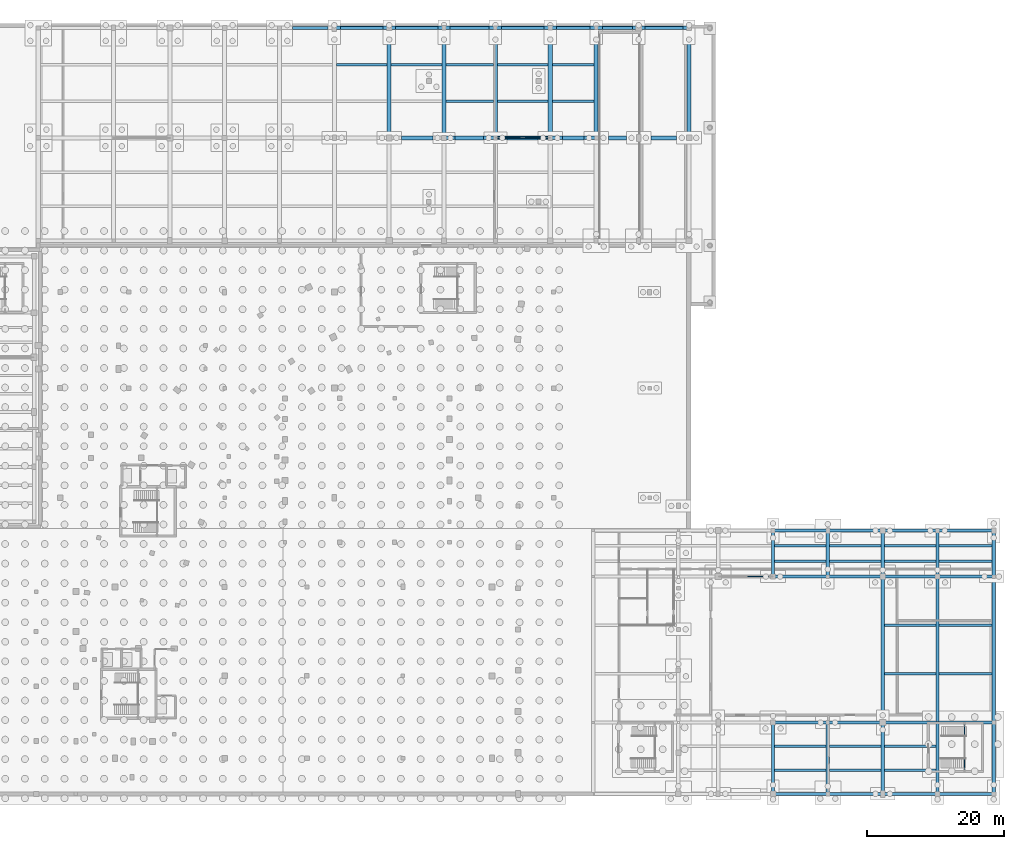
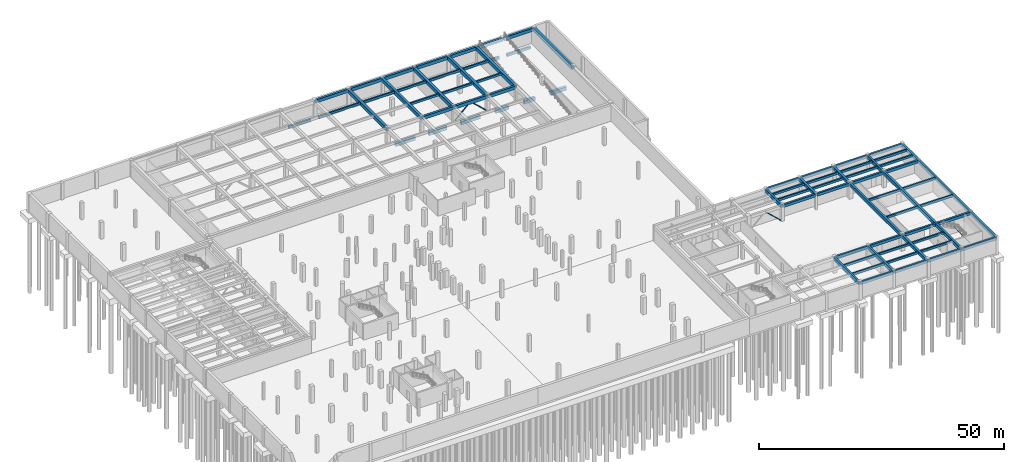
# One storey, part 12 of 36: 85 beams, 4 members.
"""IFC4 building model written with IfcOpenShell, lengths in metres."""

from ifc_helpers import new_model, si_unit, direction, frame, origin, origin_2d, place, context, subcontext, project, spatial, rectangle, hollow_rectangle, hollow_circle, extrude, material, material_profile, profile_set, type_object, element, save


model = new_model("IFC4")

# Units and contexts
model_context = context("Model", 3, precision=1e-05, world=origin(), true_north=direction((0.0, 1.0)))
body_context = subcontext(model_context, "Body", "Model", "MODEL_VIEW")
ifc_project = project(units=[si_unit("LENGTHUNIT", "METRE"), si_unit("AREAUNIT", "SQUARE_METRE"), si_unit("VOLUMEUNIT", "CUBIC_METRE"), si_unit("PLANEANGLEUNIT", "RADIAN"), si_unit("MASSUNIT", "GRAM", prefix="KILO"), si_unit("THERMODYNAMICTEMPERATUREUNIT", "KELVIN"), si_unit("POWERUNIT", "WATT")], contexts=[model_context])

# Site, building, storey
site_placement = place(None, origin())
site = spatial("IfcSite", under=ifc_project, at=site_placement, CompositionType="ELEMENT")
building_placement = place(site_placement, origin())
building = spatial("IfcBuilding", under=site, at=building_placement, Name="Solvatero Civic Police Headquarters", CompositionType="ELEMENT")
storey_placement = place(building_placement, frame((0.0, 0.0, -8.39990234375)))
storey = spatial("IfcBuildingStorey", under=building, at=storey_placement, Name="B02", CompositionType="ELEMENT", Elevation=-8.39990234375)

# Beams
ifc_material_1 = material(Name="Concrete C35/45", Category="concrete")
ifc_material_profile_1 = material_profile(ifc_material_1, rectangle(XDim=0.449951171875, YDim=0.64990234375, at=origin_2d()), Name="GB 450x650")
ifc_profile_set_1 = profile_set([ifc_material_profile_1], Name="Concrete C35/45")
beam_type_1 = type_object("IfcBeamType", Name="BM-GB-450x650", PredefinedType="BEAM", material=ifc_profile_set_1)
beam_1_placement = place(storey_placement, frame((65.906005859375, 116.550048828125, -0.78515625), z_axis=(1.0, 0.0, 0.0), x_axis=(0.0, 1.0, 0.0)))
element("IfcBeam", 1, at=beam_1_placement, inside=storey, type_object=beam_type_1, Name="Foundation ground beam BM-R2-B02-GB-N-5-3", PredefinedType="BEAM", context=body_context, shape_type="SweptSolid", body=[
    extrude(rectangle(XDim=0.449951171875, YDim=0.64990234375, at=origin_2d()), origin(), (0.0, 0.0, 1.0), 5.18798828125),
])
for number, where, z_axis, x_axis, name in (
    (2, (72.906005859375, 116.550048828125, -0.78515625), (1.0, 0.0, 0.0), (0.0, 1.0, 0.0), "Foundation ground beam BM-R2-B02-GB-N-6-3"),
    (3, (80.906005859375, 116.550048828125, -0.78515625), (1.0, 0.0, 0.0), (0.0, 1.0, 0.0), "Foundation ground beam BM-R2-B02-GB-N-7-3"),
):
    element("IfcBeam", number, at=place(storey_placement, frame(where, z_axis=z_axis, x_axis=x_axis)), inside=storey, type_object=beam_type_1, Name=name, PredefinedType="BEAM", context=body_context, shape_type="SweptSolid", body=[
        extrude(rectangle(XDim=0.449951171875, YDim=0.64990234375, at=origin_2d()), origin(), (0.0, 0.0, 1.0), 6.18798828125),
    ])
beam_2_placement = place(storey_placement, frame((88.906005859375, 116.550048828125, -0.78515625), z_axis=(1.0, 0.0, 0.0), x_axis=(0.0, 1.0, 0.0)))
element("IfcBeam", 4, at=beam_2_placement, inside=storey, type_object=beam_type_1, Name="Foundation ground beam BM-R2-B02-GB-N-8-3", PredefinedType="BEAM", context=body_context, shape_type="SweptSolid", body=[
    extrude(rectangle(XDim=0.449951171875, YDim=0.64990234375, at=origin_2d()), origin(), (0.0, 0.0, 1.0), 5.68798828125),
])
beam_3_placement = place(storey_placement, frame((96.406005859375, 116.550048828125, -0.78515625), z_axis=(1.0, 0.0, 0.0), x_axis=(0.0, 1.0, 0.0)))
element("IfcBeam", 5, at=beam_3_placement, inside=storey, type_object=beam_type_1, Name="Foundation ground beam BM-R2-B02-GB-N-9-3", PredefinedType="BEAM", context=body_context, shape_type="SweptSolid", body=[
    extrude(rectangle(XDim=0.449951171875, YDim=0.64990234375, at=origin_2d()), origin(), (0.0, 0.0, 1.0), 6.18798828125),
])
beam_4_placement = place(storey_placement, frame((104.406005859375, 116.550048828125, -0.78515625), z_axis=(1.0, 0.0, 0.0), x_axis=(0.0, 1.0, 0.0)))
element("IfcBeam", 6, at=beam_4_placement, inside=storey, type_object=beam_type_1, Name="Foundation ground beam BM-R2-B02-GB-N-10-3", PredefinedType="BEAM", context=body_context, shape_type="SweptSolid", body=[
    extrude(rectangle(XDim=0.449951171875, YDim=0.64990234375, at=origin_2d()), origin(), (0.0, 0.0, 1.0), 4.887939453125),
])
beam_5_placement = place(storey_placement, frame((111.10595703125, 116.550048828125, -0.78515625), z_axis=(1.0, 0.0, 0.0), x_axis=(0.0, 1.0, 0.0)))
element("IfcBeam", 7, at=beam_5_placement, inside=storey, type_object=beam_type_1, Name="Foundation ground beam BM-R2-B02-GB-N-11-3", PredefinedType="BEAM", context=body_context, shape_type="SweptSolid", body=[
    extrude(rectangle(XDim=0.449951171875, YDim=0.64990234375, at=origin_2d()), origin(), (0.0, 0.0, 1.0), 4.387939453125),
])
beam_6_placement = place(storey_placement, frame((117.305908203125, 116.550048828125, -0.78515625), z_axis=(1.0, 0.0, 0.0), x_axis=(0.0, 1.0, 0.0)))
element("IfcBeam", 8, at=beam_6_placement, inside=storey, type_object=beam_type_1, Name="Foundation ground beam BM-R2-B02-GB-N-12-3", PredefinedType="BEAM", context=body_context, shape_type="SweptSolid", body=[
    extrude(rectangle(XDim=0.449951171875, YDim=0.64990234375, at=origin_2d()), origin(), (0.0, 0.0, 1.0), 5.5380859375),
])
ifc_material_profile_2 = material_profile(ifc_material_1, rectangle(XDim=0.60009765625, YDim=0.85009765625, at=origin_2d()), Name="GB 600x850")
ifc_profile_set_2 = profile_set([ifc_material_profile_2], Name="Concrete C35/45")
beam_type_2 = type_object("IfcBeamType", Name="BM-GB-600x850", PredefinedType="BEAM", material=ifc_profile_set_2)
beam_7_placement = place(storey_placement, frame((81.805908203125, 100.5, -0.885009765625), z_axis=(1.0, 0.0, 0.0), x_axis=(0.0, 1.0, 0.0)))
element("IfcBeam", 9, at=beam_7_placement, inside=storey, type_object=beam_type_2, Name="Foundation ground beam BM-R2-B02-GB-N-7-1", PredefinedType="BEAM", context=body_context, shape_type="SweptSolid", body=[
    extrude(rectangle(XDim=0.60009765625, YDim=0.85009765625, at=origin_2d()), origin(), (0.0, 0.0, 1.0), 4.588134765625),
])
beam_8_placement = place(storey_placement, frame((89.60595703125, 100.5, -0.885009765625), z_axis=(1.0, 0.0, 0.0), x_axis=(0.0, 1.0, 0.0)))
element("IfcBeam", 10, at=beam_8_placement, inside=storey, type_object=beam_type_2, Name="Foundation ground beam BM-R2-B02-GB-N-8-1", PredefinedType="BEAM", context=body_context, shape_type="SweptSolid", body=[
    extrude(rectangle(XDim=0.60009765625, YDim=0.85009765625, at=origin_2d()), origin(), (0.0, 0.0, 1.0), 4.18798828125),
])
beam_9_placement = place(storey_placement, frame((97.2060546875, 100.5, -0.885009765625), z_axis=(1.0, 0.0, 0.0), x_axis=(0.0, 1.0, 0.0)))
element("IfcBeam", 11, at=beam_9_placement, inside=storey, type_object=beam_type_2, Name="Foundation ground beam BM-R2-B02-GB-N-9-1", PredefinedType="BEAM", context=body_context, shape_type="SweptSolid", body=[
    extrude(rectangle(XDim=0.60009765625, YDim=0.85009765625, at=origin_2d()), origin(), (0.0, 0.0, 1.0), 4.488037109375),
])
beam_10_placement = place(storey_placement, frame((105.305908203125, 100.5, -0.885009765625), z_axis=(1.0, 0.0, 0.0), x_axis=(0.0, 1.0, 0.0)))
element("IfcBeam", 12, at=beam_10_placement, inside=storey, type_object=beam_type_2, Name="Foundation ground beam BM-R2-B02-GB-N-10-1", PredefinedType="BEAM", context=body_context, shape_type="SweptSolid", body=[
    extrude(rectangle(XDim=0.60009765625, YDim=0.85009765625, at=origin_2d()), origin(), (0.0, 0.0, 1.0), 3.088134765625),
])
beam_11_placement = place(storey_placement, frame((112.006103515625, 100.5, -0.885009765625), z_axis=(1.0, 0.0, 0.0), x_axis=(0.0, 1.0, 0.0)))
element("IfcBeam", 13, at=beam_11_placement, inside=storey, type_object=beam_type_2, Name="Foundation ground beam BM-R2-B02-GB-N-11-1", PredefinedType="BEAM", context=body_context, shape_type="SweptSolid", body=[
    extrude(rectangle(XDim=0.60009765625, YDim=0.85009765625, at=origin_2d()), origin(), (0.0, 0.0, 1.0), 2.587890625),
])
beam_12_placement = place(storey_placement, frame((118.2060546875, 100.5, -0.885009765625), z_axis=(1.0, 0.0, 0.0), x_axis=(0.0, 1.0, 0.0)))
element("IfcBeam", 14, at=beam_12_placement, inside=storey, type_object=beam_type_2, Name="Foundation ground beam BM-R2-B02-GB-N-12-1", PredefinedType="BEAM", context=body_context, shape_type="SweptSolid", body=[
    extrude(rectangle(XDim=0.60009765625, YDim=0.85009765625, at=origin_2d()), origin(), (0.0, 0.0, 1.0), 3.738037109375),
])
ifc_material_2 = material(Name="Concrete C40/50", Category="concrete")
ifc_material_profile_3 = material_profile(ifc_material_2, rectangle(XDim=0.35009765625, YDim=0.550048828125, at=origin_2d()), Name="RC 350x550")
ifc_profile_set_3 = profile_set([ifc_material_profile_3], Name="Concrete C40/50")
beam_type_3 = type_object("IfcBeamType", Name="BM-RC-350x550", PredefinedType="BEAM", material=ifc_profile_set_3)
for number, where, z_axis, x_axis, name in (
    (15, (72.300048828125, 111.199951171875, 3.64501953125), (1.0, 0.0, 0.0), (0.0, 1.0, 0.0), "Primary girder BM-R2-B02-V7B-SEC-6-2-S2"),
    (16, (80.300048828125, 111.199951171875, 3.64501953125), (1.0, 0.0, 0.0), (0.0, 1.0, 0.0), "Primary girder BM-R2-B02-V7B-SEC-7-2-S2"),
):
    element("IfcBeam", number, at=place(storey_placement, frame(where, z_axis=z_axis, x_axis=x_axis)), inside=storey, type_object=beam_type_3, Name=name, PredefinedType="BEAM", context=body_context, shape_type="SweptSolid", body=[
        extrude(rectangle(XDim=0.35009765625, YDim=0.550048828125, at=origin_2d()), origin(), (0.0, 0.0, 1.0), 7.39990234375),
    ])
for number, where, z_axis, x_axis, name in (
    (17, (88.300048828125, 105.85009765625, 3.64501953125), (1.0, 0.0, 0.0), (0.0, 1.0, 0.0), "Primary girder BM-R2-B02-V7B-SEC-8-2-S1"),
    (18, (88.300048828125, 111.199951171875, 3.64501953125), (1.0, 0.0, 0.0), (0.0, 1.0, 0.0), "Primary girder BM-R2-B02-V7B-SEC-8-2-S2"),
):
    element("IfcBeam", number, at=place(storey_placement, frame(where, z_axis=z_axis, x_axis=x_axis)), inside=storey, type_object=beam_type_3, Name=name, PredefinedType="BEAM", context=body_context, shape_type="SweptSolid", body=[
        extrude(rectangle(XDim=0.35009765625, YDim=0.550048828125, at=origin_2d()), origin(), (0.0, 0.0, 1.0), 6.89990234375),
    ])
for number, where, z_axis, x_axis, name in (
    (19, (95.800048828125, 105.85009765625, 3.64501953125), (1.0, 0.0, 0.0), (0.0, 1.0, 0.0), "Primary girder BM-R2-B02-V7B-SEC-9-2-S1"),
    (20, (95.800048828125, 111.199951171875, 3.64501953125), (1.0, 0.0, 0.0), (0.0, 1.0, 0.0), "Primary girder BM-R2-B02-V7B-SEC-9-2-S2"),
):
    element("IfcBeam", number, at=place(storey_placement, frame(where, z_axis=z_axis, x_axis=x_axis)), inside=storey, type_object=beam_type_3, Name=name, PredefinedType="BEAM", context=body_context, shape_type="SweptSolid", body=[
        extrude(rectangle(XDim=0.35009765625, YDim=0.550048828125, at=origin_2d()), origin(), (0.0, 0.0, 1.0), 7.39990234375),
    ])
for number, where, z_axis, x_axis, name in (
    (21, (103.800048828125, 105.85009765625, 3.64501953125), (1.0, 0.0, 0.0), (0.0, 1.0, 0.0), "Primary girder BM-R2-B02-V7B-SEC-10-2-S1"),
    (22, (103.800048828125, 111.199951171875, 3.64501953125), (1.0, 0.0, 0.0), (0.0, 1.0, 0.0), "Primary girder BM-R2-B02-V7B-SEC-10-2-S2"),
):
    element("IfcBeam", number, at=place(storey_placement, frame(where, z_axis=z_axis, x_axis=x_axis)), inside=storey, type_object=beam_type_3, Name=name, PredefinedType="BEAM", context=body_context, shape_type="SweptSolid", body=[
        extrude(rectangle(XDim=0.35009765625, YDim=0.550048828125, at=origin_2d()), origin(), (0.0, 0.0, 1.0), 6.099853515625),
    ])
for number, where, z_axis, x_axis, name in (
    (23, (136.25, 8.2666015625, 3.64501953125), (1.0, 0.0, 0.0), (0.0, 1.0, 0.0), "Primary girder BM-R2-B02-V3B-SEC-4-1-S1"),
    (24, (136.25, 11.7333984375, 3.64501953125), (1.0, 0.0, 0.0), (0.0, 1.0, 0.0), "Primary girder BM-R2-B02-V3B-SEC-4-1-S2"),
    (25, (136.25, 38.7333984375, 3.64501953125), (1.0, 0.0, 0.0), (0.0, 1.0, 0.0), "Primary girder BM-R2-B02-V3B-SEC-4-3-S1"),
    (26, (136.25, 40.966796875, 3.64501953125), (1.0, 0.0, 0.0), (0.0, 1.0, 0.0), "Primary girder BM-R2-B02-V3B-SEC-4-3-S2"),
    (27, (144.25, 8.2666015625, 3.64501953125), (1.0, 0.0, 0.0), (0.0, 1.0, 0.0), "Primary girder BM-R2-B02-V3B-SEC-5-1-S1"),
    (28, (144.25, 11.7333984375, 3.64501953125), (1.0, 0.0, 0.0), (0.0, 1.0, 0.0), "Primary girder BM-R2-B02-V3B-SEC-5-1-S2"),
    (29, (144.25, 38.7333984375, 3.64501953125), (1.0, 0.0, 0.0), (0.0, 1.0, 0.0), "Primary girder BM-R2-B02-V3B-SEC-5-3-S1"),
    (30, (144.25, 40.966796875, 3.64501953125), (1.0, 0.0, 0.0), (0.0, 1.0, 0.0), "Primary girder BM-R2-B02-V3B-SEC-5-3-S2"),
    (31, (152.25, 8.2666015625, 3.64501953125), (1.0, 0.0, 0.0), (0.0, 1.0, 0.0), "Primary girder BM-R2-B02-V3B-SEC-6-1-S1"),
    (32, (152.25, 11.7333984375, 3.64501953125), (1.0, 0.0, 0.0), (0.0, 1.0, 0.0), "Primary girder BM-R2-B02-V3B-SEC-6-1-S2"),
    (33, (152.25, 22.300048828125, 3.64501953125), (1.0, 0.0, 0.0), (0.0, 1.0, 0.0), "Primary girder BM-R2-B02-V3B-SEC-6-2-S1"),
    (34, (152.25, 29.39990234375, 3.64501953125), (1.0, 0.0, 0.0), (0.0, 1.0, 0.0), "Primary girder BM-R2-B02-V3B-SEC-6-2-S2"),
    (35, (152.25, 38.7333984375, 3.64501953125), (1.0, 0.0, 0.0), (0.0, 1.0, 0.0), "Primary girder BM-R2-B02-V3B-SEC-6-3-S1"),
    (36, (152.25, 40.966796875, 3.64501953125), (1.0, 0.0, 0.0), (0.0, 1.0, 0.0), "Primary girder BM-R2-B02-V3B-SEC-6-3-S2"),
):
    element("IfcBeam", number, at=place(storey_placement, frame(where, z_axis=z_axis, x_axis=x_axis)), inside=storey, type_object=beam_type_3, Name=name, PredefinedType="BEAM", context=body_context, shape_type="SweptSolid", body=[
        extrude(rectangle(XDim=0.35009765625, YDim=0.550048828125, at=origin_2d()), origin(), (0.0, 0.0, 1.0), 7.5),
    ])
for number, where, z_axis, x_axis, name in (
    (37, (160.25, 22.300048828125, 3.64501953125), (1.0, 0.0, 0.0), (0.0, 1.0, 0.0), "Primary girder BM-R2-B02-V3B-SEC-7-2-S1"),
    (38, (160.25, 29.39990234375, 3.64501953125), (1.0, 0.0, 0.0), (0.0, 1.0, 0.0), "Primary girder BM-R2-B02-V3B-SEC-7-2-S2"),
    (39, (160.25, 38.7333984375, 3.64501953125), (1.0, 0.0, 0.0), (0.0, 1.0, 0.0), "Primary girder BM-R2-B02-V3B-SEC-7-3-S1"),
    (40, (160.25, 40.966796875, 3.64501953125), (1.0, 0.0, 0.0), (0.0, 1.0, 0.0), "Primary girder BM-R2-B02-V3B-SEC-7-3-S2"),
):
    element("IfcBeam", number, at=place(storey_placement, frame(where, z_axis=z_axis, x_axis=x_axis)), inside=storey, type_object=beam_type_3, Name=name, PredefinedType="BEAM", context=body_context, shape_type="SweptSolid", body=[
        extrude(rectangle(XDim=0.35009765625, YDim=0.550048828125, at=origin_2d()), origin(), (0.0, 0.0, 1.0), 7.699951171875),
    ])
ifc_material_profile_4 = material_profile(ifc_material_2, rectangle(XDim=0.449951171875, YDim=0.699951171875, at=origin_2d()), Name="RC 450x700")
ifc_profile_set_4 = profile_set([ifc_material_profile_4], Name="Concrete C40/50")
beam_type_4 = type_object("IfcBeamType", Name="BM-RC-450x700", PredefinedType="BEAM", material=ifc_profile_set_4)
for number, where, z_axis, x_axis, name in (
    (41, (136.159912109375, 4.800048828125, 3.56982421875), (1.0, 0.0, 0.0), (0.0, 1.0, 0.0), "Primary girder BM-R2-B02-V3B-GX-4-1"),
    (42, (144.159912109375, 4.800048828125, 3.56982421875), (1.0, 0.0, 0.0), (0.0, 1.0, 0.0), "Primary girder BM-R2-B02-V3B-GX-5-1"),
    (43, (152.159912109375, 4.800048828125, 3.56982421875), (1.0, 0.0, 0.0), (0.0, 1.0, 0.0), "Primary girder BM-R2-B02-V3B-GX-6-1"),
):
    element("IfcBeam", number, at=place(storey_placement, frame(where, z_axis=z_axis, x_axis=x_axis)), inside=storey, type_object=beam_type_4, Name=name, PredefinedType="BEAM", context=body_context, shape_type="SweptSolid", body=[
        extrude(rectangle(XDim=0.449951171875, YDim=0.699951171875, at=origin_2d()), origin(), (0.0, 0.0, 1.0), 7.68017578125),
    ])
beam_13_placement = place(storey_placement, frame((160.159912109375, 4.800048828125, 3.56982421875), z_axis=(1.0, 0.0, 0.0), x_axis=(0.0, 1.0, 0.0)))
element("IfcBeam", 44, at=beam_13_placement, inside=storey, type_object=beam_type_4, Name="Primary girder BM-R2-B02-V3B-GX-7-1", PredefinedType="BEAM", context=body_context, shape_type="SweptSolid", body=[
    extrude(rectangle(XDim=0.449951171875, YDim=0.699951171875, at=origin_2d()), origin(), (0.0, 0.0, 1.0), 7.880126953125),
])
for number, where, z_axis, x_axis, name in (
    (45, (136.159912109375, 15.199951171875, 3.56982421875), (1.0, 0.0, 0.0), (0.0, 1.0, 0.0), "Primary girder BM-R2-B02-V3B-GX-4-2"),
    (46, (144.159912109375, 15.199951171875, 3.56982421875), (1.0, 0.0, 0.0), (0.0, 1.0, 0.0), "Primary girder BM-R2-B02-V3B-GX-5-2"),
    (47, (152.159912109375, 15.199951171875, 3.56982421875), (1.0, 0.0, 0.0), (0.0, 1.0, 0.0), "Primary girder BM-R2-B02-V3B-GX-6-2"),
):
    element("IfcBeam", number, at=place(storey_placement, frame(where, z_axis=z_axis, x_axis=x_axis)), inside=storey, type_object=beam_type_4, Name=name, PredefinedType="BEAM", context=body_context, shape_type="SweptSolid", body=[
        extrude(rectangle(XDim=0.449951171875, YDim=0.699951171875, at=origin_2d()), origin(), (0.0, 0.0, 1.0), 7.68017578125),
    ])
beam_14_placement = place(storey_placement, frame((160.159912109375, 15.199951171875, 3.56982421875), z_axis=(1.0, 0.0, 0.0), x_axis=(0.0, 1.0, 0.0)))
element("IfcBeam", 48, at=beam_14_placement, inside=storey, type_object=beam_type_4, Name="Primary girder BM-R2-B02-V3B-GX-7-2", PredefinedType="BEAM", context=body_context, shape_type="SweptSolid", body=[
    extrude(rectangle(XDim=0.449951171875, YDim=0.699951171875, at=origin_2d()), origin(), (0.0, 0.0, 1.0), 7.880126953125),
])
for number, where, z_axis, x_axis, name in (
    (49, (136.159912109375, 36.5, 3.56982421875), (1.0, 0.0, 0.0), (0.0, 1.0, 0.0), "Primary girder BM-R2-B02-V3B-GX-4-3"),
    (50, (144.159912109375, 36.5, 3.56982421875), (1.0, 0.0, 0.0), (0.0, 1.0, 0.0), "Primary girder BM-R2-B02-V3B-GX-5-3"),
    (51, (152.159912109375, 36.5, 3.56982421875), (1.0, 0.0, 0.0), (0.0, 1.0, 0.0), "Primary girder BM-R2-B02-V3B-GX-6-3"),
):
    element("IfcBeam", number, at=place(storey_placement, frame(where, z_axis=z_axis, x_axis=x_axis)), inside=storey, type_object=beam_type_4, Name=name, PredefinedType="BEAM", context=body_context, shape_type="SweptSolid", body=[
        extrude(rectangle(XDim=0.449951171875, YDim=0.699951171875, at=origin_2d()), origin(), (0.0, 0.0, 1.0), 7.68017578125),
    ])
beam_15_placement = place(storey_placement, frame((160.159912109375, 36.5, 3.56982421875), z_axis=(1.0, 0.0, 0.0), x_axis=(0.0, 1.0, 0.0)))
element("IfcBeam", 52, at=beam_15_placement, inside=storey, type_object=beam_type_4, Name="Primary girder BM-R2-B02-V3B-GX-7-3", PredefinedType="BEAM", context=body_context, shape_type="SweptSolid", body=[
    extrude(rectangle(XDim=0.449951171875, YDim=0.699951171875, at=origin_2d()), origin(), (0.0, 0.0, 1.0), 7.880126953125),
])
for number, where, z_axis, x_axis, name in (
    (53, (136.159912109375, 43.199951171875, 3.56982421875), (1.0, 0.0, 0.0), (0.0, 1.0, 0.0), "Primary girder BM-R2-B02-V3B-GX-4-4"),
    (54, (144.159912109375, 43.199951171875, 3.56982421875), (1.0, 0.0, 0.0), (0.0, 1.0, 0.0), "Primary girder BM-R2-B02-V3B-GX-5-4"),
    (55, (152.159912109375, 43.199951171875, 3.56982421875), (1.0, 0.0, 0.0), (0.0, 1.0, 0.0), "Primary girder BM-R2-B02-V3B-GX-6-4"),
):
    element("IfcBeam", number, at=place(storey_placement, frame(where, z_axis=z_axis, x_axis=x_axis)), inside=storey, type_object=beam_type_4, Name=name, PredefinedType="BEAM", context=body_context, shape_type="SweptSolid", body=[
        extrude(rectangle(XDim=0.449951171875, YDim=0.699951171875, at=origin_2d()), origin(), (0.0, 0.0, 1.0), 7.68017578125),
    ])
beam_16_placement = place(storey_placement, frame((160.159912109375, 43.199951171875, 3.56982421875), z_axis=(1.0, 0.0, 0.0), x_axis=(0.0, 1.0, 0.0)))
element("IfcBeam", 56, at=beam_16_placement, inside=storey, type_object=beam_type_4, Name="Primary girder BM-R2-B02-V3B-GX-7-4", PredefinedType="BEAM", context=body_context, shape_type="SweptSolid", body=[
    extrude(rectangle(XDim=0.449951171875, YDim=0.699951171875, at=origin_2d()), origin(), (0.0, 0.0, 1.0), 7.880126953125),
])
ifc_material_profile_5 = material_profile(ifc_material_2, rectangle(XDim=0.5, YDim=0.800048828125, at=origin_2d()), Name="RC 500x800")
ifc_profile_set_5 = profile_set([ifc_material_profile_5], Name="Concrete C40/50")
beam_type_5 = type_object("IfcBeamType", Name="BM-RC-500x800", PredefinedType="BEAM", material=ifc_profile_set_5)
beam_17_placement = place(storey_placement, frame((88.159912109375, 100.5, 3.52001953125), z_axis=(1.0, 0.0, 0.0), x_axis=(0.0, 1.0, 0.0)))
element("IfcBeam", 57, at=beam_17_placement, inside=storey, type_object=beam_type_5, Name="Primary girder BM-R2-B02-V7B-GX-8-2", PredefinedType="BEAM", context=body_context, shape_type="SweptSolid", body=[
    extrude(rectangle(XDim=0.5, YDim=0.800048828125, at=origin_2d()), origin(), (0.0, 0.0, 1.0), 7.18017578125),
])
beam_18_placement = place(storey_placement, frame((95.659912109375, 100.5, 3.52001953125), z_axis=(1.0, 0.0, 0.0), x_axis=(0.0, 1.0, 0.0)))
element("IfcBeam", 58, at=beam_18_placement, inside=storey, type_object=beam_type_5, Name="Primary girder BM-R2-B02-V7B-GX-9-2", PredefinedType="BEAM", context=body_context, shape_type="SweptSolid", body=[
    extrude(rectangle(XDim=0.5, YDim=0.800048828125, at=origin_2d()), origin(), (0.0, 0.0, 1.0), 7.68017578125),
])
beam_19_placement = place(storey_placement, frame((103.659912109375, 100.5, 3.52001953125), z_axis=(1.0, 0.0, 0.0), x_axis=(0.0, 1.0, 0.0)))
element("IfcBeam", 59, at=beam_19_placement, inside=storey, type_object=beam_type_5, Name="Primary girder BM-R2-B02-V7B-GX-10-2", PredefinedType="BEAM", context=body_context, shape_type="SweptSolid", body=[
    extrude(rectangle(XDim=0.5, YDim=0.800048828125, at=origin_2d()), origin(), (0.0, 0.0, 1.0), 6.380126953125),
])
for number, where, z_axis, x_axis, name in (
    (60, (72.159912109375, 116.550048828125, 3.52001953125), (1.0, 0.0, 0.0), (0.0, 1.0, 0.0), "Primary girder BM-R2-B02-V7B-GX-6-3"),
    (61, (80.159912109375, 116.550048828125, 3.52001953125), (1.0, 0.0, 0.0), (0.0, 1.0, 0.0), "Primary girder BM-R2-B02-V7B-GX-7-3"),
):
    element("IfcBeam", number, at=place(storey_placement, frame(where, z_axis=z_axis, x_axis=x_axis)), inside=storey, type_object=beam_type_5, Name=name, PredefinedType="BEAM", context=body_context, shape_type="SweptSolid", body=[
        extrude(rectangle(XDim=0.5, YDim=0.800048828125, at=origin_2d()), origin(), (0.0, 0.0, 1.0), 7.68017578125),
    ])
beam_20_placement = place(storey_placement, frame((88.159912109375, 116.550048828125, 3.52001953125), z_axis=(1.0, 0.0, 0.0), x_axis=(0.0, 1.0, 0.0)))
element("IfcBeam", 62, at=beam_20_placement, inside=storey, type_object=beam_type_5, Name="Primary girder BM-R2-B02-V7B-GX-8-3", PredefinedType="BEAM", context=body_context, shape_type="SweptSolid", body=[
    extrude(rectangle(XDim=0.5, YDim=0.800048828125, at=origin_2d()), origin(), (0.0, 0.0, 1.0), 7.18017578125),
])
beam_21_placement = place(storey_placement, frame((95.659912109375, 116.550048828125, 3.52001953125), z_axis=(1.0, 0.0, 0.0), x_axis=(0.0, 1.0, 0.0)))
element("IfcBeam", 63, at=beam_21_placement, inside=storey, type_object=beam_type_5, Name="Primary girder BM-R2-B02-V7B-GX-9-3", PredefinedType="BEAM", context=body_context, shape_type="SweptSolid", body=[
    extrude(rectangle(XDim=0.5, YDim=0.800048828125, at=origin_2d()), origin(), (0.0, 0.0, 1.0), 7.68017578125),
])
beam_22_placement = place(storey_placement, frame((103.659912109375, 116.550048828125, 3.52001953125), z_axis=(1.0, 0.0, 0.0), x_axis=(0.0, 1.0, 0.0)))
element("IfcBeam", 64, at=beam_22_placement, inside=storey, type_object=beam_type_5, Name="Primary girder BM-R2-B02-V7B-GX-10-3", PredefinedType="BEAM", context=body_context, shape_type="SweptSolid", body=[
    extrude(rectangle(XDim=0.5, YDim=0.800048828125, at=origin_2d()), origin(), (0.0, 0.0, 1.0), 6.380126953125),
])
beam_23_placement = place(storey_placement, frame((110.360107421875, 116.550048828125, 3.52001953125), z_axis=(1.0, 0.0, 0.0), x_axis=(0.0, 1.0, 0.0)))
element("IfcBeam", 65, at=beam_23_placement, inside=storey, type_object=beam_type_5, Name="Primary girder BM-R2-B02-V7B-GX-11-3", PredefinedType="BEAM", context=body_context, shape_type="SweptSolid", body=[
    extrude(rectangle(XDim=0.5, YDim=0.800048828125, at=origin_2d()), origin(), (0.0, 0.0, 1.0), 5.8798828125),
])
beam_24_placement = place(storey_placement, frame((116.56005859375, 116.550048828125, 3.52001953125), z_axis=(1.0, 0.0, 0.0), x_axis=(0.0, 1.0, 0.0)))
element("IfcBeam", 66, at=beam_24_placement, inside=storey, type_object=beam_type_5, Name="Primary girder BM-R2-B02-V7B-GX-12-3", PredefinedType="BEAM", context=body_context, shape_type="SweptSolid", body=[
    extrude(rectangle(XDim=0.5, YDim=0.800048828125, at=origin_2d()), origin(), (0.0, 0.0, 1.0), 7.030029296875),
])
beam_25_placement = place(storey_placement, frame((136.0, 4.9599609375, 3.52001953125), z_axis=(0.0, 1.0, 0.0), x_axis=(-1.0, 0.0, 0.0)))
element("IfcBeam", 67, at=beam_25_placement, inside=storey, type_object=beam_type_5, Name="Primary girder BM-R2-B02-V3B-GY-4-1", PredefinedType="BEAM", context=body_context, shape_type="SweptSolid", body=[
    extrude(rectangle(XDim=0.5, YDim=0.800048828125, at=origin_2d()), origin(), (0.0, 0.0, 1.0), 10.080078125),
])
beam_26_placement = place(storey_placement, frame((136.0, 36.659912109375, 3.52001953125), z_axis=(0.0, 1.0, 0.0), x_axis=(-1.0, 0.0, 0.0)))
element("IfcBeam", 68, at=beam_26_placement, inside=storey, type_object=beam_type_5, Name="Primary girder BM-R2-B02-V3B-GY-4-3", PredefinedType="BEAM", context=body_context, shape_type="SweptSolid", body=[
    extrude(rectangle(XDim=0.5, YDim=0.800048828125, at=origin_2d()), origin(), (0.0, 0.0, 1.0), 6.380126953125),
])
beam_27_placement = place(storey_placement, frame((144.0, 4.9599609375, 3.52001953125), z_axis=(0.0, 1.0, 0.0), x_axis=(-1.0, 0.0, 0.0)))
element("IfcBeam", 69, at=beam_27_placement, inside=storey, type_object=beam_type_5, Name="Primary girder BM-R2-B02-V3B-GY-5-1", PredefinedType="BEAM", context=body_context, shape_type="SweptSolid", body=[
    extrude(rectangle(XDim=0.5, YDim=0.800048828125, at=origin_2d()), origin(), (0.0, 0.0, 1.0), 10.080078125),
])
beam_28_placement = place(storey_placement, frame((144.0, 36.659912109375, 3.52001953125), z_axis=(0.0, 1.0, 0.0), x_axis=(-1.0, 0.0, 0.0)))
element("IfcBeam", 70, at=beam_28_placement, inside=storey, type_object=beam_type_5, Name="Primary girder BM-R2-B02-V3B-GY-5-3", PredefinedType="BEAM", context=body_context, shape_type="SweptSolid", body=[
    extrude(rectangle(XDim=0.5, YDim=0.800048828125, at=origin_2d()), origin(), (0.0, 0.0, 1.0), 6.380126953125),
])
beam_29_placement = place(storey_placement, frame((152.0, 4.9599609375, 3.52001953125), z_axis=(0.0, 1.0, 0.0), x_axis=(-1.0, 0.0, 0.0)))
element("IfcBeam", 71, at=beam_29_placement, inside=storey, type_object=beam_type_5, Name="Primary girder BM-R2-B02-V3B-GY-6-1", PredefinedType="BEAM", context=body_context, shape_type="SweptSolid", body=[
    extrude(rectangle(XDim=0.5, YDim=0.800048828125, at=origin_2d()), origin(), (0.0, 0.0, 1.0), 10.080078125),
])
beam_30_placement = place(storey_placement, frame((152.0, 15.360107421875, 3.52001953125), z_axis=(0.0, 1.0, 0.0), x_axis=(-1.0, 0.0, 0.0)))
element("IfcBeam", 72, at=beam_30_placement, inside=storey, type_object=beam_type_5, Name="Primary girder BM-R2-B02-V3B-GY-6-2", PredefinedType="BEAM", context=body_context, shape_type="SweptSolid", body=[
    extrude(rectangle(XDim=0.5, YDim=0.800048828125, at=origin_2d()), origin(), (0.0, 0.0, 1.0), 20.97998046875),
])
beam_31_placement = place(storey_placement, frame((152.0, 36.659912109375, 3.52001953125), z_axis=(0.0, 1.0, 0.0), x_axis=(-1.0, 0.0, 0.0)))
element("IfcBeam", 73, at=beam_31_placement, inside=storey, type_object=beam_type_5, Name="Primary girder BM-R2-B02-V3B-GY-6-3", PredefinedType="BEAM", context=body_context, shape_type="SweptSolid", body=[
    extrude(rectangle(XDim=0.5, YDim=0.800048828125, at=origin_2d()), origin(), (0.0, 0.0, 1.0), 6.380126953125),
])
beam_32_placement = place(storey_placement, frame((160.0, 4.9599609375, 3.52001953125), z_axis=(0.0, 1.0, 0.0), x_axis=(-1.0, 0.0, 0.0)))
element("IfcBeam", 74, at=beam_32_placement, inside=storey, type_object=beam_type_5, Name="Primary girder BM-R2-B02-V3B-GY-7-1", PredefinedType="BEAM", context=body_context, shape_type="SweptSolid", body=[
    extrude(rectangle(XDim=0.5, YDim=0.800048828125, at=origin_2d()), origin(), (0.0, 0.0, 1.0), 10.080078125),
])
beam_33_placement = place(storey_placement, frame((160.0, 15.360107421875, 3.52001953125), z_axis=(0.0, 1.0, 0.0), x_axis=(-1.0, 0.0, 0.0)))
element("IfcBeam", 75, at=beam_33_placement, inside=storey, type_object=beam_type_5, Name="Primary girder BM-R2-B02-V3B-GY-7-2", PredefinedType="BEAM", context=body_context, shape_type="SweptSolid", body=[
    extrude(rectangle(XDim=0.5, YDim=0.800048828125, at=origin_2d()), origin(), (0.0, 0.0, 1.0), 20.97998046875),
])
beam_34_placement = place(storey_placement, frame((160.0, 36.659912109375, 3.52001953125), z_axis=(0.0, 1.0, 0.0), x_axis=(-1.0, 0.0, 0.0)))
element("IfcBeam", 76, at=beam_34_placement, inside=storey, type_object=beam_type_5, Name="Primary girder BM-R2-B02-V3B-GY-7-3", PredefinedType="BEAM", context=body_context, shape_type="SweptSolid", body=[
    extrude(rectangle(XDim=0.5, YDim=0.800048828125, at=origin_2d()), origin(), (0.0, 0.0, 1.0), 6.380126953125),
])
beam_35_placement = place(storey_placement, frame((168.199951171875, 4.9599609375, 3.52001953125), z_axis=(0.0, 1.0, 0.0), x_axis=(-1.0, 0.0, 0.0)))
element("IfcBeam", 77, at=beam_35_placement, inside=storey, type_object=beam_type_5, Name="Primary girder BM-R2-B02-V3B-GY-8-1", PredefinedType="BEAM", context=body_context, shape_type="SweptSolid", body=[
    extrude(rectangle(XDim=0.5, YDim=0.800048828125, at=origin_2d()), origin(), (0.0, 0.0, 1.0), 10.080078125),
])
beam_36_placement = place(storey_placement, frame((168.199951171875, 15.360107421875, 3.52001953125), z_axis=(0.0, 1.0, 0.0), x_axis=(-1.0, 0.0, 0.0)))
element("IfcBeam", 78, at=beam_36_placement, inside=storey, type_object=beam_type_5, Name="Primary girder BM-R2-B02-V3B-GY-8-2", PredefinedType="BEAM", context=body_context, shape_type="SweptSolid", body=[
    extrude(rectangle(XDim=0.5, YDim=0.800048828125, at=origin_2d()), origin(), (0.0, 0.0, 1.0), 20.97998046875),
])
beam_37_placement = place(storey_placement, frame((168.199951171875, 36.659912109375, 3.52001953125), z_axis=(0.0, 1.0, 0.0), x_axis=(-1.0, 0.0, 0.0)))
element("IfcBeam", 79, at=beam_37_placement, inside=storey, type_object=beam_type_5, Name="Primary girder BM-R2-B02-V3B-GY-8-3", PredefinedType="BEAM", context=body_context, shape_type="SweptSolid", body=[
    extrude(rectangle(XDim=0.5, YDim=0.800048828125, at=origin_2d()), origin(), (0.0, 0.0, 1.0), 6.380126953125),
])
ifc_material_profile_6 = material_profile(ifc_material_2, rectangle(XDim=0.60009765625, YDim=0.89990234375, at=origin_2d()), Name="RC 600x900")
ifc_profile_set_6 = profile_set([ifc_material_profile_6], Name="Concrete C40/50")
beam_type_6 = type_object("IfcBeamType", Name="BM-RC-600x900", PredefinedType="BEAM", material=ifc_profile_set_6)
for number, where, z_axis, x_axis, name in (
    (80, (80.0, 100.659912109375, 3.469970703125), (0.0, 1.0, 0.0), (-1.0, 0.0, 0.0), "Primary girder BM-R2-B02-V7B-GY-7-2"),
    (81, (88.0, 100.659912109375, 3.469970703125), (0.0, 1.0, 0.0), (-1.0, 0.0, 0.0), "Primary girder BM-R2-B02-V7B-GY-8-2"),
    (82, (95.5, 100.659912109375, 3.469970703125), (0.0, 1.0, 0.0), (-1.0, 0.0, 0.0), "Primary girder BM-R2-B02-V7B-GY-9-2"),
    (83, (103.5, 100.659912109375, 3.469970703125), (0.0, 1.0, 0.0), (-1.0, 0.0, 0.0), "Primary girder BM-R2-B02-V7B-GY-10-2"),
    (84, (110.199951171875, 100.659912109375, 3.469970703125), (0.0, 1.0, 0.0), (-1.0, 0.0, 0.0), "Primary girder BM-R2-B02-V7B-GY-11-2"),
    (85, (123.75, 100.659912109375, 3.469970703125), (0.0, 1.0, 0.0), (-1.0, 0.0, 0.0), "Primary girder BM-R2-B02-V7B-GY-13-2"),
):
    element("IfcBeam", number, at=place(storey_placement, frame(where, z_axis=z_axis, x_axis=x_axis)), inside=storey, type_object=beam_type_6, Name=name, PredefinedType="BEAM", context=body_context, shape_type="SweptSolid", body=[
        extrude(rectangle(XDim=0.60009765625, YDim=0.89990234375, at=origin_2d()), origin(), (0.0, 0.0, 1.0), 15.72998046875),
    ])

# Members
ifc_material_3 = material(Name="Steel S355", Category="steel")
ifc_material_profile_7 = material_profile(ifc_material_3, hollow_circle(Radius=0.122314453125, WallThickness=0.012451171875, at=origin_2d()), Name="CHS 244.5x12.5")
ifc_profile_set_7 = profile_set([ifc_material_profile_7], Name="Steel S355")
member_type_1 = type_object("IfcMemberType", Name="MB-BR-CHS245", PredefinedType="BRACE", material=ifc_profile_set_7)
for number, where, z_axis, x_axis, name in (
    (86, (95.800048828125, 100.5, 0.119873046875), (0.731384178355, 0.0, 0.681965676301), (0.0, 1.0, 0.0), "Chevron Brace BR-V7-INT2 Left B02"),
    (87, (103.199951171875, 100.5, 0.119873046875), (-0.731384178355, 0.0, 0.681965676301), (0.0, -1.0, 0.0), "Chevron Brace BR-V7-INT2 Right B02"),
):
    element("IfcMember", number, at=place(storey_placement, frame(where, z_axis=z_axis, x_axis=x_axis)), inside=storey, type_object=member_type_1, Name=name, PredefinedType="BRACE", context=body_context, shape_type="SweptSolid", body=[
        extrude(hollow_circle(Radius=0.122314453125, WallThickness=0.012451171875, at=origin_2d()), origin(), (0.0, 0.0, 1.0), 5.058837890625),
    ])
ifc_material_profile_8 = material_profile(ifc_material_3, hollow_rectangle(XDim=0.10009765625, YDim=0.14990234375, WallThickness=0.00634765625, InnerFilletRadius=0.00634765625, OuterFilletRadius=0.0126953125, at=origin_2d()), Name="RHS 150x100x6.3")
ifc_profile_set_8 = profile_set([ifc_material_profile_8], Name="Steel S355")
member_type_2 = type_object("IfcMemberType", Name="MB-BR-RHS150", PredefinedType="BRACE", material=ifc_profile_set_8)
member_1_placement = place(storey_placement, frame((163.93994140625, 8.080078125, 1.824951171875), z_axis=(0.0, 1.0, 0.0), x_axis=(-1.0, 0.0, 0.0)))
element("IfcMember", 88, at=member_1_placement, inside=storey, type_object=member_type_2, Name="ST-C6 B02 Landing Support Beam", PredefinedType="BRACE", context=body_context, shape_type="SweptSolid", body=[
    extrude(hollow_rectangle(XDim=0.10009765625, YDim=0.14990234375, WallThickness=0.00634765625, InnerFilletRadius=0.00634765625, OuterFilletRadius=0.0126953125, at=origin_2d()), origin(), (0.0, 0.0, 1.0), 7.0400390625),
])
ifc_material_profile_9 = material_profile(ifc_material_3, hollow_rectangle(XDim=0.1201171875, YDim=0.199951171875, WallThickness=0.010009765625, InnerFilletRadius=0.010009765625, OuterFilletRadius=0.02001953125, at=origin_2d()), Name="RHS 200x120x10.0")
ifc_profile_set_9 = profile_set([ifc_material_profile_9], Name="Steel S355")
member_type_3 = type_object("IfcMemberType", Name="MB-BR-RHS200W", PredefinedType="BRACE", material=ifc_profile_set_9)
member_2_placement = place(storey_placement, frame((135.699951171875, 36.5, 0.119873046875), z_axis=(-0.731384178355, 0.0, 0.681965676301), x_axis=(0.0, -1.0, 0.0)))
element("IfcMember", 89, at=member_2_placement, inside=storey, type_object=member_type_3, Name="Chevron Brace BR-V3-INT Right B02", PredefinedType="BRACE", context=body_context, shape_type="SweptSolid", body=[
    extrude(hollow_rectangle(XDim=0.1201171875, YDim=0.199951171875, WallThickness=0.010009765625, InnerFilletRadius=0.010009765625, OuterFilletRadius=0.02001953125, at=origin_2d()), origin(), (0.0, 0.0, 1.0), 5.058837890625),
])

save(model, "model.ifc")
